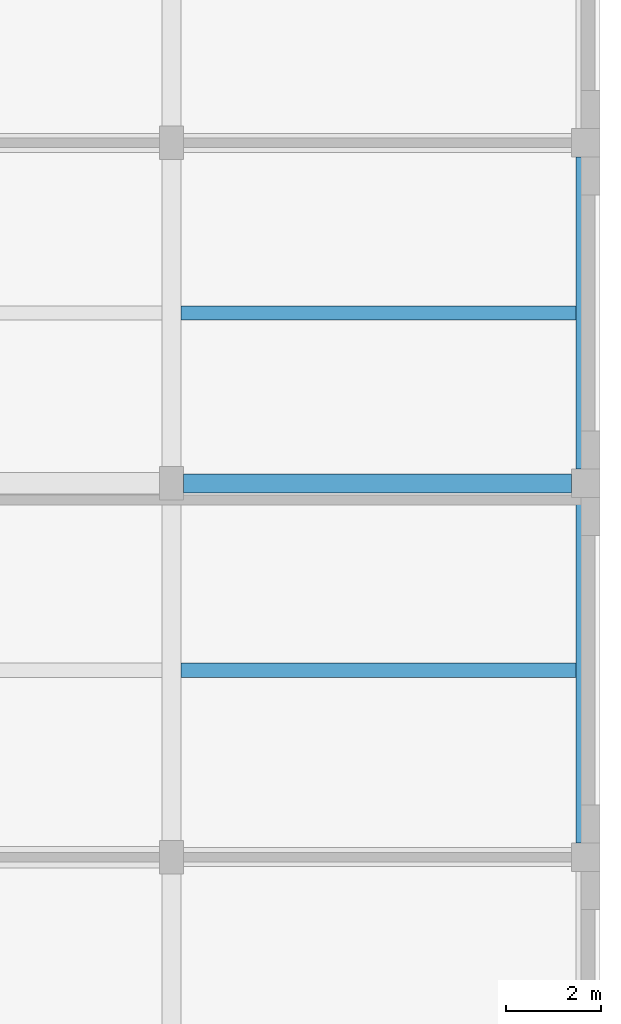
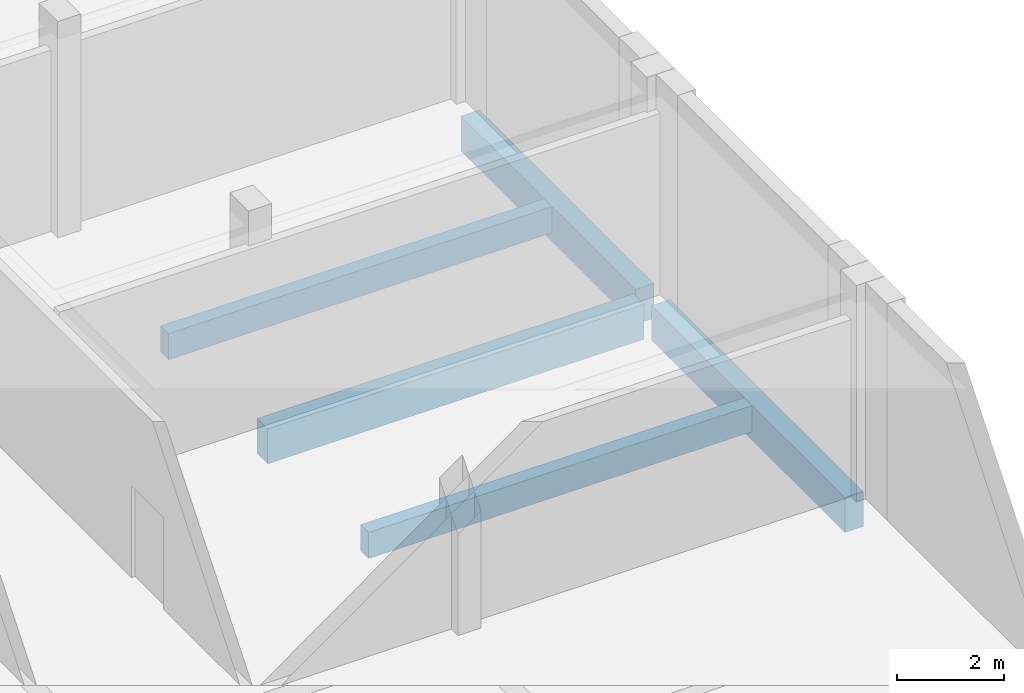
# One storey, part 35 of 125: 5 beams.
"""IFC4 building model written with IfcOpenShell, lengths in metres."""

from ifc_helpers import new_model, si_unit, direction, frame, origin, origin_2d, place, context, subcontext, project, spatial, rectangle, extrude, material, material_profile, profile_set, type_object, element, save


model = new_model("IFC4")

# Units and contexts
model_context = context("Model", 3, precision=1e-05, world=origin(), true_north=direction((0.0, 1.0)))
body_context = subcontext(model_context, "Body", "Model", "MODEL_VIEW")
ifc_project = project(units=[si_unit("LENGTHUNIT", "METRE"), si_unit("AREAUNIT", "SQUARE_METRE"), si_unit("VOLUMEUNIT", "CUBIC_METRE"), si_unit("PLANEANGLEUNIT", "RADIAN"), si_unit("MASSUNIT", "GRAM", prefix="KILO")], contexts=[model_context])

# Site, building, storey
site_placement = place(None, origin())
site = spatial("IfcSite", under=ifc_project, at=site_placement, CompositionType="ELEMENT")
building_placement = place(site_placement, origin())
building = spatial("IfcBuilding", under=site, at=building_placement, Name="Sun Court Science Centre", CompositionType="ELEMENT")
storey_placement = place(building_placement, frame((0.0, 0.0, 6.0)))
storey = spatial("IfcBuildingStorey", under=building, at=storey_placement, Name="L01", CompositionType="ELEMENT", Elevation=6.0)

# Beams
ifc_material_1 = material(Name="Concrete C25/30", Category="concrete")
ifc_material_profile_1 = material_profile(ifc_material_1, rectangle(XDim=0.39990234375, YDim=0.800048828125, at=origin_2d()), Name="RC 400x800")
ifc_profile_set_1 = profile_set([ifc_material_profile_1], Name="Concrete C25/30")
beam_type_1 = type_object("IfcBeamType", Name="RC girder 400x800", PredefinedType="BEAM", material=ifc_profile_set_1)
beam_1_placement = place(storey_placement, frame((95.25, 28.85009765625, -0.699951171875), z_axis=(1.0, 0.0, 0.0), x_axis=(0.0, 1.0, 0.0)))
element("IfcBeam", 1, at=beam_1_placement, inside=storey, type_object=beam_type_1, Name="Girder L01 row 4", PredefinedType="BEAM", context=body_context, shape_type="SweptSolid", body=[
    extrude(rectangle(XDim=0.39990234375, YDim=0.800048828125, at=origin_2d()), origin(), (0.0, 0.0, 1.0), 8.14990234375),
])
beam_2_placement = place(storey_placement, frame((103.699951171875, 21.300048828125, -0.699951171875), z_axis=(0.0, 1.0, 0.0), x_axis=(-1.0, 0.0, 0.0)))
element("IfcBeam", 2, at=beam_2_placement, inside=storey, type_object=beam_type_1, Name="Girder L01 line 4", PredefinedType="BEAM", context=body_context, shape_type="SweptSolid", body=[
    extrude(rectangle(XDim=0.39990234375, YDim=0.800048828125, at=origin_2d()), origin(), (0.0, 0.0, 1.0), 7.25),
])
beam_3_placement = place(storey_placement, frame((103.699951171875, 29.14990234375, -0.699951171875), z_axis=(0.0, 1.0, 0.0), x_axis=(-1.0, 0.0, 0.0)))
element("IfcBeam", 3, at=beam_3_placement, inside=storey, type_object=beam_type_1, Name="Girder L01 line 4", PredefinedType="BEAM", context=body_context, shape_type="SweptSolid", body=[
    extrude(rectangle(XDim=0.39990234375, YDim=0.800048828125, at=origin_2d()), origin(), (0.0, 0.0, 1.0), 6.550048828125),
])
ifc_material_2 = material(Name="Concrete C25/30", Category="concrete")
ifc_material_profile_2 = material_profile(ifc_material_2, rectangle(XDim=0.300048828125, YDim=0.60009765625, at=origin_2d()), Name="RC 300x600")
ifc_profile_set_2 = profile_set([ifc_material_profile_2], Name="Concrete C25/30")
beam_type_2 = type_object("IfcBeamType", Name="RC joist 300x600", PredefinedType="JOIST", material=ifc_profile_set_2)
for number, where, z_axis, x_axis, name in (
    (4, (95.199951171875, 24.925048828125, -0.60009765625), (1.0, 0.0, 0.0), (0.0, 1.0, 0.0), "Joist L01"),
    (5, (95.199951171875, 32.425048828125, -0.60009765625), (1.0, 0.0, 0.0), (0.0, 1.0, 0.0), "Joist L01"),
):
    element("IfcBeam", number, at=place(storey_placement, frame(where, z_axis=z_axis, x_axis=x_axis)), inside=storey, type_object=beam_type_2, Name=name, PredefinedType="JOIST", context=body_context, shape_type="SweptSolid", body=[
        extrude(rectangle(XDim=0.300048828125, YDim=0.60009765625, at=origin_2d()), origin(), (0.0, 0.0, 1.0), 8.300048828125),
    ])

save(model, "model.ifc")
